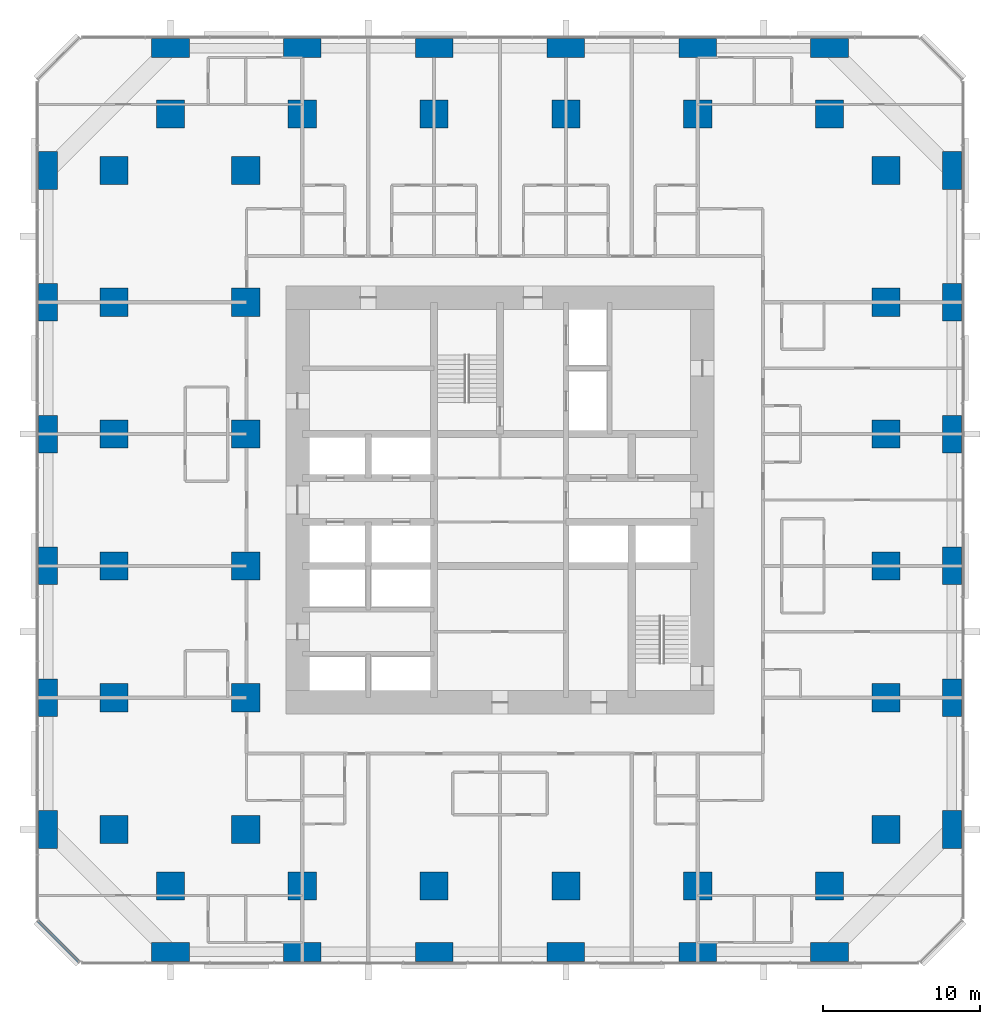
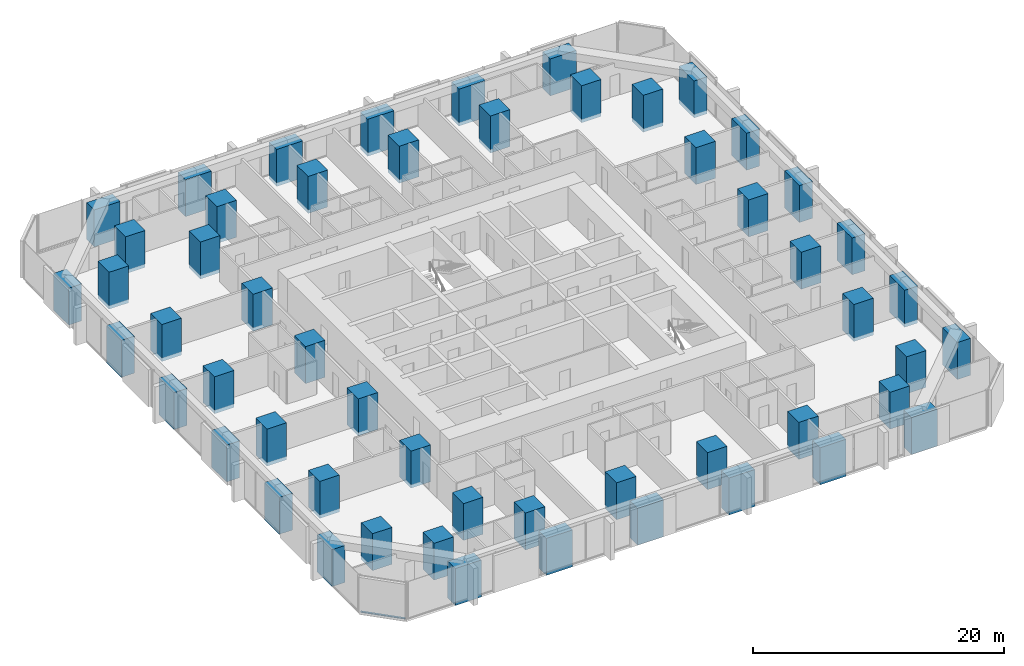
# One storey, part 1 of 17: 54 columns, 1 member, 1 element without a shape of its own.
"""IFC4 building model written with IfcOpenShell, lengths in metres."""

import ifcopenshell
import ifcopenshell.guid

model = None  # the IFC model being written
_history = None  # IfcOwnerHistory: only IFC2X3 demands one
_inside = {}  # id of a spatial element -> (the spatial element, [elements in it])
_under = {}  # id of a project, library or spatial element -> (it, [spatial elements below it])
_declared = {}  # id of a project -> (the project, [libraries it declares])
_typed = {}  # id of a type object -> (the type object, [elements of that type])
_made_of = {}  # id of a material, layer set ... -> (it, [elements and type objects made of it])


def new_model(schema):
    """Start an empty IFC model of exactly this schema.

    Asked for "IFC4X3", IfcOpenShell would pick the latest addendum, in which some entities
    have other attributes; the version numbers below select the first issue.
    IFC2X3 requires an IfcOwnerHistory on every rooted entity: one is made here for all.
    """
    global model, _history
    if schema == "IFC4X3":
        model = ifcopenshell.file(schema_version=(4, 3, 0, 0))
    else:
        model = ifcopenshell.file(schema=schema)
    _inside.clear()
    _under.clear()
    _declared.clear()
    _typed.clear()
    _made_of.clear()
    _history = None
    if model.schema == "IFC2X3":
        org = make("IfcOrganization", Name="unknown")
        user = make(
            "IfcPersonAndOrganization",
            ThePerson=make("IfcPerson", FamilyName="unknown"),
            TheOrganization=org,
        )
        app = make(
            "IfcApplication",
            ApplicationDeveloper=org,
            Version="unknown",
            ApplicationFullName="unknown",
            ApplicationIdentifier="unknown",
        )
        _history = make(
            "IfcOwnerHistory",
            OwningUser=user,
            OwningApplication=app,
            ChangeAction="ADDED",
            CreationDate=0,
        )
    return model


def make(cls, **values):
    """One entity of the class cls with the attributes given. An attribute that is None is left unset."""
    return model.create_entity(
        cls, **{name: value for name, value in values.items() if value is not None}
    )


def rooted(cls, **values):
    """An entity with a GlobalId (a new one), such as an element, a storey or a relation."""
    return make(cls, GlobalId=ifcopenshell.guid.new(), OwnerHistory=_history, **values)


def si_unit(unit_type, name, prefix=None):
    """IfcSIUnit, for example si_unit("LENGTHUNIT", "METRE", prefix="MILLI")."""
    return make("IfcSIUnit", UnitType=unit_type, Prefix=prefix, Name=name)


def assignment(units):
    """IfcUnitAssignment: the units of a project."""
    return None if units is None else make("IfcUnitAssignment", Units=units)


def point(xyz):
    """IfcCartesianPoint."""
    return None if xyz is None else make("IfcCartesianPoint", Coordinates=xyz)


def direction(xyz):
    """IfcDirection."""
    return None if xyz is None else make("IfcDirection", DirectionRatios=xyz)


def frame(location, z_axis=None, x_axis=None):
    """IfcAxis2Placement3D, a coordinate frame: its origin and axes. An axis left out is left unset."""
    return make(
        "IfcAxis2Placement3D",
        Location=point(location),
        Axis=direction(z_axis),
        RefDirection=direction(x_axis),
    )


def frame_2d(location, x_axis=None):
    """IfcAxis2Placement2D, a coordinate frame in the plane: its origin and x axis."""
    return make(
        "IfcAxis2Placement2D", Location=point(location), RefDirection=direction(x_axis)
    )


def origin():
    """The frame at (0, 0, 0) with its axes left unset."""
    return frame((0.0, 0.0, 0.0))


def origin_2d():
    """The frame at (0, 0) in the plane with its x axis left unset."""
    return frame_2d((0.0, 0.0))


def place(relative_to, where):
    """IfcLocalPlacement: puts the frame where relative to a parent placement (None: the world)."""
    return make(
        "IfcLocalPlacement", PlacementRelTo=relative_to, RelativePlacement=where
    )


def context(
    kind, dimensions, precision=None, world=None, true_north=None, identifier=None
):
    """IfcGeometricRepresentationContext, for example the 3D "Model" context."""
    return make(
        "IfcGeometricRepresentationContext",
        ContextIdentifier=identifier,
        ContextType=kind,
        CoordinateSpaceDimension=dimensions,
        Precision=precision,
        WorldCoordinateSystem=world,
        TrueNorth=true_north,
    )


def subcontext(parent, identifier, kind, view, scale=None):
    """IfcGeometricRepresentationSubContext, for example "Body" below "Model"."""
    return make(
        "IfcGeometricRepresentationSubContext",
        ContextIdentifier=identifier,
        ContextType=kind,
        ParentContext=parent,
        TargetScale=scale,
        TargetView=view,
    )


def project(units=None, contexts=None):
    """IfcProject with its units and contexts."""
    return rooted(
        "IfcProject",
        Name="project",
        RepresentationContexts=contexts,
        UnitsInContext=assignment(units),
    )


def spatial(cls, under=None, at=None, **own):
    """A site, building, storey or space (cls), placed at a placement, below another one or the project."""
    s = rooted(cls, ObjectPlacement=at, **own)
    if under is not None:
        _under.setdefault(under.id(), (under, []))[1].append(s)
    return s


def profile(cls, at=None, kind="AREA", **sizes):
    """A parametric profile (cls). Its sizes go by their IFC names, for example OverallWidth=200.0."""
    return make(cls, ProfileType=kind, Position=at, **sizes)


def rectangle(**sizes):
    """IfcRectangleProfileDef."""
    return profile("IfcRectangleProfileDef", **sizes)


def extrude(swept, where, along, depth):
    """IfcExtrudedAreaSolid: the profile swept, set in the frame where, extruded along a direction by depth."""
    return make(
        "IfcExtrudedAreaSolid",
        SweptArea=swept,
        Position=where,
        ExtrudedDirection=direction(along),
        Depth=depth,
    )


def shape(context_of_items, identifier, shape_type, items):
    """IfcShapeRepresentation: the items that make up one representation, for example the "Body"."""
    return make(
        "IfcShapeRepresentation",
        ContextOfItems=context_of_items,
        RepresentationIdentifier=identifier,
        RepresentationType=shape_type,
        Items=items,
    )


def material(Name=None, Category=None):
    """IfcMaterial."""
    return make("IfcMaterial", Name=Name, Category=Category)


def material_profile(
    of_material, cross_section, Name=None, Category=None, Priority=None
):
    """IfcMaterialProfile: a cross section and its material."""
    return make(
        "IfcMaterialProfile",
        Name=Name,
        Material=of_material,
        Profile=cross_section,
        Priority=Priority,
        Category=Category,
    )


def profile_set(profiles, Name=None, composite=None):
    """IfcMaterialProfileSet."""
    return make(
        "IfcMaterialProfileSet",
        Name=Name,
        MaterialProfiles=profiles,
        CompositeProfile=composite,
    )


def made_of(thing, what):
    """Note that an element or type object is made of a material, layer set ...; save() writes the relation."""
    if what is not None:
        _made_of.setdefault(what.id(), (what, []))[1].append(thing)
    return thing


def type_object(cls, material=None, **own):
    """A type object (cls), such as IfcWallType, which elements share."""
    return made_of(rooted(cls, **own), material)


def element(
    cls,
    number,
    at=None,
    inside=None,
    cuts=None,
    type_object=None,
    material=None,
    context=None,
    identifier="Body",
    shape_type=None,
    held_by="IfcProductDefinitionShape",
    body=None,
    shapes=None,
    **own,
):
    """One element of the class cls, such as IfcWall. Its Tag is "e" and its number.

    at: its placement. inside: the storey or other place that contains it. cuts: it is an
    opening in that element (IfcRelVoidsElement). A single representation is given by context,
    identifier, shape_type and body (its items); several are given by shapes. held_by: the class
    of the entity that holds the representations. save() writes the other relations.
    """
    e = rooted(cls, Tag="e%d" % number, ObjectPlacement=at, **own)
    if body is not None:
        shapes = [shape(context, identifier, shape_type, body)]
    if shapes is not None:
        e.Representation = make(held_by, Representations=shapes)
    if inside is not None:
        _inside.setdefault(inside.id(), (inside, []))[1].append(e)
    if cuts is not None:
        rooted(
            "IfcRelVoidsElement", RelatingBuildingElement=cuts, RelatedOpeningElement=e
        )
    if type_object is not None:
        _typed.setdefault(type_object.id(), (type_object, []))[1].append(e)
    return made_of(e, material)


def aggregate(whole, parts):
    """IfcRelAggregates: a whole, such as a stair, and the parts it consists of."""
    return rooted("IfcRelAggregates", RelatingObject=whole, RelatedObjects=parts)


def save(model, path):
    """Write the relations noted so far, then the file.

    IfcRelAggregates (storeys below a building ...), IfcRelContainedInSpatialStructure (elements
    in a storey), IfcRelDefinesByType, IfcRelAssociatesMaterial and IfcRelDeclares: one each for
    every whole, place, type object, material and project.
    """
    for whole, parts in _under.values():
        aggregate(whole, parts)
    for where, things in _inside.values():
        rooted(
            "IfcRelContainedInSpatialStructure",
            RelatedElements=things,
            RelatingStructure=where,
        )
    for kind, things in _typed.values():
        rooted("IfcRelDefinesByType", RelatedObjects=things, RelatingType=kind)
    for what, things in _made_of.values():
        rooted("IfcRelAssociatesMaterial", RelatedObjects=things, RelatingMaterial=what)
    for by, libraries in _declared.values():
        rooted("IfcRelDeclares", RelatingContext=by, RelatedDefinitions=libraries)
    model.write(path)


model = new_model("IFC4")

# Units and contexts
model_context = context("Model", 3, precision=1e-05, world=origin(), true_north=direction((0.0, 1.0)))
body_context = subcontext(model_context, "Body", "Model", "MODEL_VIEW")
ifc_project = project(units=[si_unit("LENGTHUNIT", "METRE"), si_unit("AREAUNIT", "SQUARE_METRE"), si_unit("VOLUMEUNIT", "CUBIC_METRE"), si_unit("PLANEANGLEUNIT", "RADIAN"), si_unit("MASSUNIT", "GRAM", prefix="KILO")], contexts=[model_context])

# Site, building, storey
site_placement = place(None, origin())
site = spatial("IfcSite", under=ifc_project, at=site_placement, CompositionType="ELEMENT")
building_placement = place(site_placement, origin())
building = spatial("IfcBuilding", under=site, at=building_placement, Name="Dunama Terrace Hotel", CompositionType="ELEMENT")
storey_placement = place(building_placement, frame((0.0, 0.0, 63.0)))
storey = spatial("IfcBuildingStorey", under=building, at=storey_placement, Name="L15", CompositionType="ELEMENT", Elevation=63.0)

# Columns
ifc_material_1 = material(Name="Concrete C60/75", Category="concrete")
ifc_material_profile_1 = material_profile(ifc_material_1, rectangle(XDim=1.199951171875, YDim=2.39990234375, at=origin_2d()), Name="RC 1200x2400")
ifc_profile_set_1 = profile_set([ifc_material_profile_1], Name="Concrete C60/75")
column_type_1 = type_object("IfcColumnType", Name="Column RC 1200x2400", PredefinedType="COLUMN", material=ifc_profile_set_1)
for number, where, z_axis, x_axis, name in (
    (1, (0.60009765625, 8.39990234375, -0.35009765625), (0.0, 0.0, 1.0), (1.0, 0.0, 0.0), "Column L15 +0.6/+8.4"),
    (2, (0.60009765625, 16.800048828125, -0.35009765625), (0.0, 0.0, 1.0), (1.0, 0.0, 0.0), "Column L15 +0.6/+16.8"),
    (3, (0.60009765625, 25.199951171875, -0.35009765625), (0.0, 0.0, 1.0), (1.0, 0.0, 0.0), "Column L15 +0.6/+25.2"),
    (4, (0.60009765625, 33.60009765625, -0.35009765625), (0.0, 0.0, 1.0), (1.0, 0.0, 0.0), "Column L15 +0.6/+33.6"),
    (5, (0.60009765625, 42.0, -0.35009765625), (0.0, 0.0, 1.0), (1.0, 0.0, 0.0), "Column L15 +0.6/+42.0"),
    (6, (0.60009765625, 50.39990234375, -0.35009765625), (0.0, 0.0, 1.0), (1.0, 0.0, 0.0), "Column L15 +0.6/+50.4"),
    (7, (58.199951171875, 8.39990234375, -0.35009765625), (0.0, 0.0, 1.0), (1.0, 0.0, 0.0), "Column L15 +58.2/+8.4"),
    (8, (58.199951171875, 16.800048828125, -0.35009765625), (0.0, 0.0, 1.0), (1.0, 0.0, 0.0), "Column L15 +58.2/+16.8"),
    (9, (58.199951171875, 25.199951171875, -0.35009765625), (0.0, 0.0, 1.0), (1.0, 0.0, 0.0), "Column L15 +58.2/+25.2"),
    (10, (58.199951171875, 33.60009765625, -0.35009765625), (0.0, 0.0, 1.0), (1.0, 0.0, 0.0), "Column L15 +58.2/+33.6"),
    (11, (58.199951171875, 42.0, -0.35009765625), (0.0, 0.0, 1.0), (1.0, 0.0, 0.0), "Column L15 +58.2/+42.0"),
    (12, (58.199951171875, 50.39990234375, -0.35009765625), (0.0, 0.0, 1.0), (1.0, 0.0, 0.0), "Column L15 +58.2/+50.4"),
):
    element("IfcColumn", number, at=place(storey_placement, frame(where, z_axis=z_axis, x_axis=x_axis)), inside=storey, type_object=column_type_1, Name=name, PredefinedType="COLUMN", context=body_context, shape_type="SweptSolid", body=[
        extrude(rectangle(XDim=1.199951171875, YDim=2.39990234375, at=origin_2d()), origin(), (0.0, 0.0, 1.0), 3.60009765625),
    ])
ifc_material_2 = material(Name="Concrete C60/75", Category="concrete")
ifc_material_profile_2 = material_profile(ifc_material_2, rectangle(XDim=1.800048828125, YDim=1.800048828125, at=origin_2d()), Name="RC 1800x1800")
ifc_profile_set_2 = profile_set([ifc_material_profile_2], Name="Concrete C60/75")
column_type_2 = type_object("IfcColumnType", Name="Column RC 1800x1800", PredefinedType="COLUMN", material=ifc_profile_set_2)
for number, where, z_axis, x_axis, name in (
    (13, (4.800048828125, 8.39990234375, -0.35009765625), (0.0, 0.0, 1.0), (1.0, 0.0, 0.0), "Column L15 +4.8/+8.4"),
    (14, (4.800048828125, 16.800048828125, -0.35009765625), (0.0, 0.0, 1.0), (1.0, 0.0, 0.0), "Column L15 +4.8/+16.8"),
    (15, (4.800048828125, 25.199951171875, -0.35009765625), (0.0, 0.0, 1.0), (1.0, 0.0, 0.0), "Column L15 +4.8/+25.2"),
    (16, (4.800048828125, 33.60009765625, -0.35009765625), (0.0, 0.0, 1.0), (1.0, 0.0, 0.0), "Column L15 +4.8/+33.6"),
    (17, (4.800048828125, 42.0, -0.35009765625), (0.0, 0.0, 1.0), (1.0, 0.0, 0.0), "Column L15 +4.8/+42.0"),
    (18, (4.800048828125, 50.39990234375, -0.35009765625), (0.0, 0.0, 1.0), (1.0, 0.0, 0.0), "Column L15 +4.8/+50.4"),
    (19, (8.39990234375, 4.800048828125, -0.35009765625), (0.0, 0.0, 1.0), (1.0, 0.0, 0.0), "Column L15 +8.4/+4.8"),
    (20, (8.39990234375, 54.0, -0.35009765625), (0.0, 0.0, 1.0), (1.0, 0.0, 0.0), "Column L15 +8.4/+54.0"),
    (21, (13.199951171875, 8.39990234375, -0.35009765625), (0.0, 0.0, 1.0), (1.0, 0.0, 0.0), "Column L15 +13.2/+8.4"),
    (22, (13.199951171875, 16.800048828125, -0.35009765625), (0.0, 0.0, 1.0), (1.0, 0.0, 0.0), "Column L15 +13.2/+16.8"),
    (23, (13.199951171875, 25.199951171875, -0.35009765625), (0.0, 0.0, 1.0), (1.0, 0.0, 0.0), "Column L15 +13.2/+25.2"),
    (24, (13.199951171875, 33.60009765625, -0.35009765625), (0.0, 0.0, 1.0), (1.0, 0.0, 0.0), "Column L15 +13.2/+33.6"),
    (25, (13.199951171875, 42.0, -0.35009765625), (0.0, 0.0, 1.0), (1.0, 0.0, 0.0), "Column L15 +13.2/+42.0"),
    (26, (13.199951171875, 50.39990234375, -0.35009765625), (0.0, 0.0, 1.0), (1.0, 0.0, 0.0), "Column L15 +13.2/+50.4"),
    (27, (16.800048828125, 4.800048828125, -0.35009765625), (0.0, 0.0, 1.0), (1.0, 0.0, 0.0), "Column L15 +16.8/+4.8"),
    (28, (16.800048828125, 54.0, -0.35009765625), (0.0, 0.0, 1.0), (1.0, 0.0, 0.0), "Column L15 +16.8/+54.0"),
    (29, (25.199951171875, 4.800048828125, -0.35009765625), (0.0, 0.0, 1.0), (1.0, 0.0, 0.0), "Column L15 +25.2/+4.8"),
    (30, (25.199951171875, 54.0, -0.35009765625), (0.0, 0.0, 1.0), (1.0, 0.0, 0.0), "Column L15 +25.2/+54.0"),
    (31, (33.60009765625, 4.800048828125, -0.35009765625), (0.0, 0.0, 1.0), (1.0, 0.0, 0.0), "Column L15 +33.6/+4.8"),
    (32, (33.60009765625, 54.0, -0.35009765625), (0.0, 0.0, 1.0), (1.0, 0.0, 0.0), "Column L15 +33.6/+54.0"),
    (33, (42.0, 4.800048828125, -0.35009765625), (0.0, 0.0, 1.0), (1.0, 0.0, 0.0), "Column L15 +42.0/+4.8"),
    (34, (42.0, 54.0, -0.35009765625), (0.0, 0.0, 1.0), (1.0, 0.0, 0.0), "Column L15 +42.0/+54.0"),
    (35, (50.39990234375, 4.800048828125, -0.35009765625), (0.0, 0.0, 1.0), (1.0, 0.0, 0.0), "Column L15 +50.4/+4.8"),
    (36, (50.39990234375, 54.0, -0.35009765625), (0.0, 0.0, 1.0), (1.0, 0.0, 0.0), "Column L15 +50.4/+54.0"),
    (37, (54.0, 8.39990234375, -0.35009765625), (0.0, 0.0, 1.0), (1.0, 0.0, 0.0), "Column L15 +54.0/+8.4"),
    (38, (54.0, 16.800048828125, -0.35009765625), (0.0, 0.0, 1.0), (1.0, 0.0, 0.0), "Column L15 +54.0/+16.8"),
    (39, (54.0, 25.199951171875, -0.35009765625), (0.0, 0.0, 1.0), (1.0, 0.0, 0.0), "Column L15 +54.0/+25.2"),
    (40, (54.0, 33.60009765625, -0.35009765625), (0.0, 0.0, 1.0), (1.0, 0.0, 0.0), "Column L15 +54.0/+33.6"),
    (41, (54.0, 42.0, -0.35009765625), (0.0, 0.0, 1.0), (1.0, 0.0, 0.0), "Column L15 +54.0/+42.0"),
    (42, (54.0, 50.39990234375, -0.35009765625), (0.0, 0.0, 1.0), (1.0, 0.0, 0.0), "Column L15 +54.0/+50.4"),
):
    element("IfcColumn", number, at=place(storey_placement, frame(where, z_axis=z_axis, x_axis=x_axis)), inside=storey, type_object=column_type_2, Name=name, PredefinedType="COLUMN", context=body_context, shape_type="SweptSolid", body=[
        extrude(rectangle(XDim=1.800048828125, YDim=1.800048828125, at=origin_2d()), origin(), (0.0, 0.0, 1.0), 3.60009765625),
    ])
ifc_material_3 = material(Name="Concrete C60/75", Category="concrete")
ifc_material_profile_3 = material_profile(ifc_material_3, rectangle(XDim=2.39990234375, YDim=1.199951171875, at=origin_2d()), Name="RC 2400x1200")
ifc_profile_set_3 = profile_set([ifc_material_profile_3], Name="Concrete C60/75")
column_type_3 = type_object("IfcColumnType", Name="Column RC 2400x1200", PredefinedType="COLUMN", material=ifc_profile_set_3)
for number, where, z_axis, x_axis, name in (
    (43, (8.39990234375, 0.60009765625, -0.35009765625), (0.0, 0.0, 1.0), (1.0, 0.0, 0.0), "Column L15 +8.4/+0.6"),
    (44, (8.39990234375, 58.199951171875, -0.35009765625), (0.0, 0.0, 1.0), (1.0, 0.0, 0.0), "Column L15 +8.4/+58.2"),
    (45, (16.800048828125, 0.60009765625, -0.35009765625), (0.0, 0.0, 1.0), (1.0, 0.0, 0.0), "Column L15 +16.8/+0.6"),
    (46, (16.800048828125, 58.199951171875, -0.35009765625), (0.0, 0.0, 1.0), (1.0, 0.0, 0.0), "Column L15 +16.8/+58.2"),
    (47, (25.199951171875, 0.60009765625, -0.35009765625), (0.0, 0.0, 1.0), (1.0, 0.0, 0.0), "Column L15 +25.2/+0.6"),
    (48, (25.199951171875, 58.199951171875, -0.35009765625), (0.0, 0.0, 1.0), (1.0, 0.0, 0.0), "Column L15 +25.2/+58.2"),
    (49, (33.60009765625, 0.60009765625, -0.35009765625), (0.0, 0.0, 1.0), (1.0, 0.0, 0.0), "Column L15 +33.6/+0.6"),
    (50, (33.60009765625, 58.199951171875, -0.35009765625), (0.0, 0.0, 1.0), (1.0, 0.0, 0.0), "Column L15 +33.6/+58.2"),
    (51, (42.0, 0.60009765625, -0.35009765625), (0.0, 0.0, 1.0), (1.0, 0.0, 0.0), "Column L15 +42.0/+0.6"),
    (52, (42.0, 58.199951171875, -0.35009765625), (0.0, 0.0, 1.0), (1.0, 0.0, 0.0), "Column L15 +42.0/+58.2"),
    (53, (50.39990234375, 0.60009765625, -0.35009765625), (0.0, 0.0, 1.0), (1.0, 0.0, 0.0), "Column L15 +50.4/+0.6"),
    (54, (50.39990234375, 58.199951171875, -0.35009765625), (0.0, 0.0, 1.0), (1.0, 0.0, 0.0), "Column L15 +50.4/+58.2"),
):
    element("IfcColumn", number, at=place(storey_placement, frame(where, z_axis=z_axis, x_axis=x_axis)), inside=storey, type_object=column_type_3, Name=name, PredefinedType="COLUMN", context=body_context, shape_type="SweptSolid", body=[
        extrude(rectangle(XDim=2.39990234375, YDim=1.199951171875, at=origin_2d()), origin(), (0.0, 0.0, 1.0), 3.60009765625),
    ])

# Curtain wall, member
ifc_material_4 = material(Name="Aluminium curtain wall system", Category="aluminium")
curtain_wall_type = type_object("IfcCurtainWallType", Name="Unitised fritted glass wall CW-A", PredefinedType="NOTDEFINED", material=ifc_material_4)
curtain_wall_placement = place(storey_placement, origin())
curtain_wall = element("IfcCurtainWall", 55, at=curtain_wall_placement, inside=storey, type_object=curtain_wall_type, Name="Unitised fritted glass wall CW-A L15", PredefinedType="NOTDEFINED")
ifc_material_5 = material(Name="Aluminium transom", Category="aluminium")
ifc_material_profile_4 = material_profile(ifc_material_5, rectangle(XDim=0.179931640625, YDim=0.074951171875, at=origin_2d()), Name="CWA TRANSOM 180X75")
ifc_profile_set_4 = profile_set([ifc_material_profile_4], Name="Aluminium transom")
member_type = type_object("IfcMemberType", Name="CWA transom 180x75", PredefinedType="USERDEFINED", material=ifc_profile_set_4)
member_placement = place(storey_placement, frame((-0.02490234375, 2.5830078125, 0.03759765625), z_axis=(0.707106781187, -0.707106781187, 0.0), x_axis=(0.707106781187, 0.707106781187, 0.0)))
member = element("IfcMember", 56, at=member_placement, type_object=member_type, Name="CWA transom", ObjectType="TRANSOM", PredefinedType="USERDEFINED", context=body_context, shape_type="SweptSolid", body=[
    extrude(rectangle(XDim=0.179931640625, YDim=0.074951171875, at=origin_2d()), origin(), (0.0, 0.0, 1.0), 3.688232421875),
])
aggregate(curtain_wall, [member])

save(model, "model.ifc")
